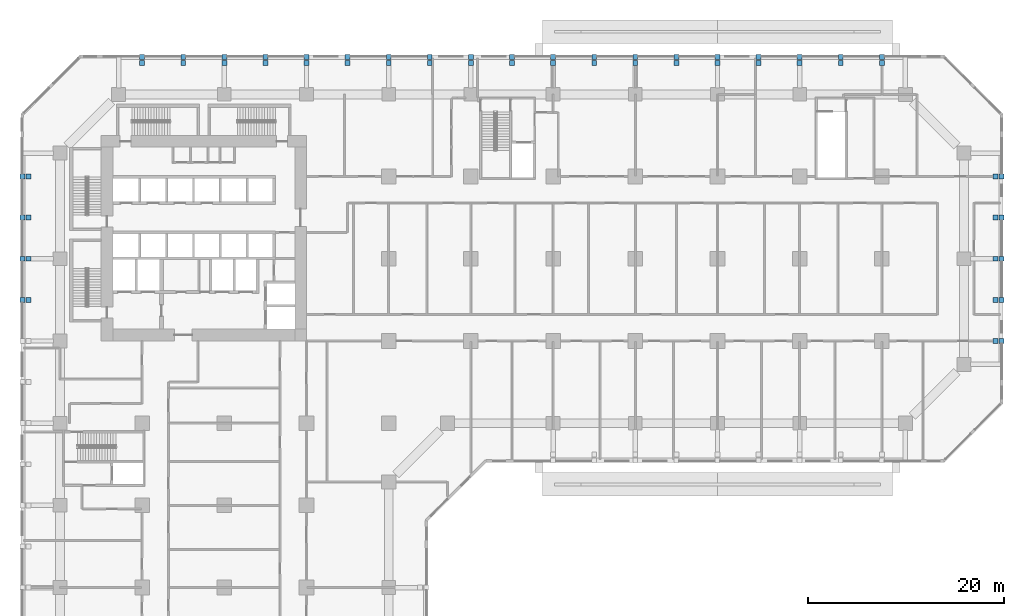
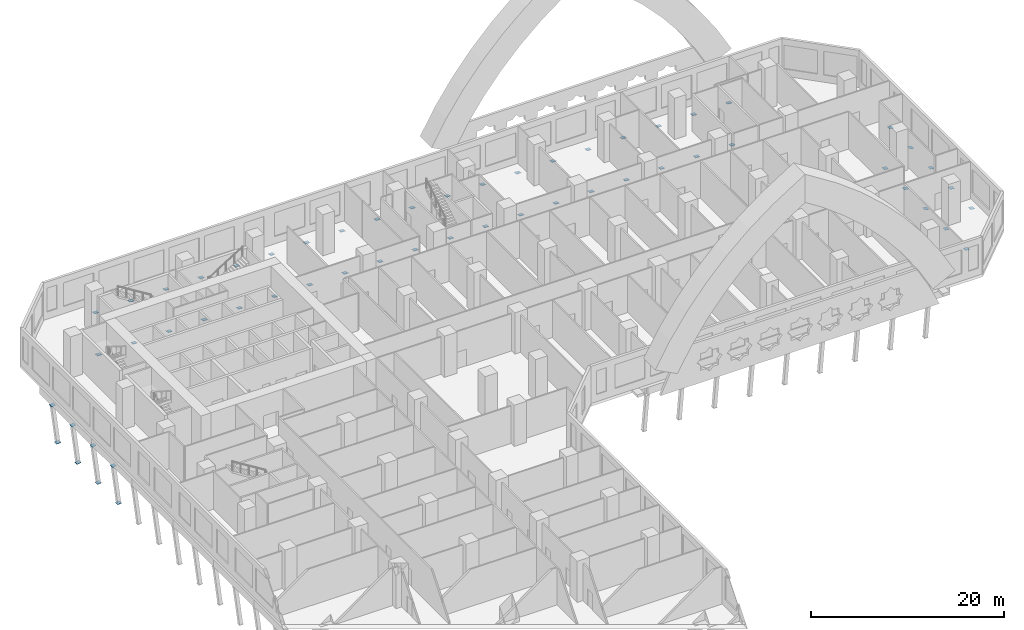
# One storey, part 19 of 25: 56 discrete accessories.
"""IFC4 building model written with IfcOpenShell, lengths in metres."""

from ifc_helpers import new_model, si_unit, direction, frame, origin, origin_2d, place, context, subcontext, project, spatial, rectangle, extrude, material, material_profile, profile_set, type_object, element, save


model = new_model("IFC4")

# Units and contexts
model_context = context("Model", 3, precision=1e-05, world=origin(), true_north=direction((0.0, 1.0)))
body_context = subcontext(model_context, "Body", "Model", "MODEL_VIEW")
ifc_project = project(units=[si_unit("LENGTHUNIT", "METRE"), si_unit("AREAUNIT", "SQUARE_METRE"), si_unit("VOLUMEUNIT", "CUBIC_METRE"), si_unit("PLANEANGLEUNIT", "RADIAN"), si_unit("MASSUNIT", "GRAM", prefix="KILO")], contexts=[model_context])

# Site, building, storey
site_placement = place(None, origin())
site = spatial("IfcSite", under=ifc_project, at=site_placement, CompositionType="ELEMENT")
building_placement = place(site_placement, origin())
building = spatial("IfcBuilding", under=site, at=building_placement, Name="Kawkab Arch Medical Tower", CompositionType="ELEMENT")
storey_placement = place(building_placement, frame((0.0, 0.0, 29.0)))
storey = spatial("IfcBuildingStorey", under=building, at=storey_placement, Name="L06", CompositionType="ELEMENT", Elevation=29.0)

# Discrete accessories
ifc_material = material(Name="Steel S355", Category="steel")
ifc_material_profile = material_profile(ifc_material, rectangle(XDim=0.5, YDim=0.5, at=origin_2d()), Name="End plate 500 x 20")
ifc_profile_set = profile_set([ifc_material_profile], Name="Steel S355")
discrete_accessory_type = type_object("IfcDiscreteAccessoryType", Name="End plate 500 x 20", PredefinedType="ANCHORPLATE", material=ifc_profile_set)
for number, where, z_axis, x_axis, name in (
    (1, (-3.202392578125, -8.39990234375, -6.18017578125), (0.122526572003, 0.0, -0.992465233221), (0.0, 1.0, 0.0), "End plate PRS1"),
    (2, (-3.828369140625, -8.39990234375, -1.269775390625), (-0.122526572003, 0.0, 0.992465233221), (0.0, -1.0, 0.0), "End plate PRS1"),
    (3, (-3.202392578125, -12.60009765625, -6.18017578125), (0.122526572003, 0.0, -0.992465233221), (0.0, 1.0, 0.0), "End plate PRS1"),
    (4, (-3.828369140625, -12.60009765625, -1.269775390625), (-0.122526572003, 0.0, 0.992465233221), (0.0, -1.0, 0.0), "End plate PRS1"),
    (5, (-3.202392578125, -16.800048828125, -6.18017578125), (0.122526572003, 0.0, -0.992465233221), (0.0, 1.0, 0.0), "End plate PRS1"),
    (6, (-3.828369140625, -16.800048828125, -1.269775390625), (-0.122526572003, 0.0, 0.992465233221), (0.0, -1.0, 0.0), "End plate PRS1"),
    (7, (-3.202392578125, -21.0, -6.18017578125), (0.122526572003, 0.0, -0.992465233221), (0.0, 1.0, 0.0), "End plate PRS1"),
    (8, (-3.828369140625, -21.0, -1.269775390625), (-0.122526572003, 0.0, 0.992465233221), (0.0, -1.0, 0.0), "End plate PRS1"),
    (9, (95.6025390625, -8.39990234375, -6.18017578125), (-0.122526572003, 0.0, -0.992465233221), (0.0, -1.0, 0.0), "End plate PRS1"),
    (10, (96.228515625, -8.39990234375, -1.269775390625), (0.122526572003, 0.0, 0.992465233221), (0.0, 1.0, 0.0), "End plate PRS1"),
    (11, (95.6025390625, -12.60009765625, -6.18017578125), (-0.122526572003, 0.0, -0.992465233221), (0.0, -1.0, 0.0), "End plate PRS1"),
    (12, (96.228515625, -12.60009765625, -1.269775390625), (0.122526572003, 0.0, 0.992465233221), (0.0, 1.0, 0.0), "End plate PRS1"),
    (13, (95.6025390625, -16.800048828125, -6.18017578125), (-0.122526572003, 0.0, -0.992465233221), (0.0, -1.0, 0.0), "End plate PRS1"),
    (14, (96.228515625, -16.800048828125, -1.269775390625), (0.122526572003, 0.0, 0.992465233221), (0.0, 1.0, 0.0), "End plate PRS1"),
    (15, (95.6025390625, -21.0, -6.18017578125), (-0.122526572003, 0.0, -0.992465233221), (0.0, -1.0, 0.0), "End plate PRS1"),
    (16, (96.228515625, -21.0, -1.269775390625), (0.122526572003, 0.0, 0.992465233221), (0.0, 1.0, 0.0), "End plate PRS1"),
    (17, (95.6025390625, -25.199951171875, -6.18017578125), (-0.122526572003, 0.0, -0.992465233221), (0.0, -1.0, 0.0), "End plate PRS1"),
    (18, (96.228515625, -25.199951171875, -1.269775390625), (0.122526572003, 0.0, 0.992465233221), (0.0, 1.0, 0.0), "End plate PRS1"),
    (19, (8.39990234375, 3.202392578125, -6.18017578125), (0.0, -0.122526572003, -0.992465233221), (1.0, 0.0, 0.0), "End plate PRS1"),
    (20, (8.39990234375, 3.828369140625, -1.269775390625), (0.0, 0.122526572003, 0.992465233221), (-1.0, 0.0, 0.0), "End plate PRS1"),
    (21, (12.60009765625, 3.202392578125, -6.18017578125), (0.0, -0.122526572003, -0.992465233221), (1.0, 0.0, 0.0), "End plate PRS1"),
    (22, (12.60009765625, 3.828369140625, -1.269775390625), (0.0, 0.122526572003, 0.992465233221), (-1.0, 0.0, 0.0), "End plate PRS1"),
    (23, (16.800048828125, 3.202392578125, -6.18017578125), (0.0, -0.122526572003, -0.992465233221), (1.0, 0.0, 0.0), "End plate PRS1"),
    (24, (16.800048828125, 3.828369140625, -1.269775390625), (0.0, 0.122526572003, 0.992465233221), (-1.0, 0.0, 0.0), "End plate PRS1"),
    (25, (21.0, 3.202392578125, -6.18017578125), (0.0, -0.122526572003, -0.992465233221), (1.0, 0.0, 0.0), "End plate PRS1"),
    (26, (21.0, 3.828369140625, -1.269775390625), (0.0, 0.122526572003, 0.992465233221), (-1.0, 0.0, 0.0), "End plate PRS1"),
    (27, (25.199951171875, 3.202392578125, -6.18017578125), (0.0, -0.122526572003, -0.992465233221), (1.0, 0.0, 0.0), "End plate PRS1"),
    (28, (25.199951171875, 3.828369140625, -1.269775390625), (0.0, 0.122526572003, 0.992465233221), (-1.0, 0.0, 0.0), "End plate PRS1"),
    (29, (29.39990234375, 3.202392578125, -6.18017578125), (0.0, -0.122526572003, -0.992465233221), (1.0, 0.0, 0.0), "End plate PRS1"),
    (30, (29.39990234375, 3.828369140625, -1.269775390625), (0.0, 0.122526572003, 0.992465233221), (-1.0, 0.0, 0.0), "End plate PRS1"),
    (31, (33.60009765625, 3.202392578125, -6.18017578125), (0.0, -0.122526572003, -0.992465233221), (1.0, 0.0, 0.0), "End plate PRS1"),
    (32, (33.60009765625, 3.828369140625, -1.269775390625), (0.0, 0.122526572003, 0.992465233221), (-1.0, 0.0, 0.0), "End plate PRS1"),
    (33, (37.800048828125, 3.202392578125, -6.18017578125), (0.0, -0.122526572003, -0.992465233221), (1.0, 0.0, 0.0), "End plate PRS1"),
    (34, (37.800048828125, 3.828369140625, -1.269775390625), (0.0, 0.122526572003, 0.992465233221), (-1.0, 0.0, 0.0), "End plate PRS1"),
    (35, (42.0, 3.202392578125, -6.18017578125), (0.0, -0.122526572003, -0.992465233221), (1.0, 0.0, 0.0), "End plate PRS1"),
    (36, (42.0, 3.828369140625, -1.269775390625), (0.0, 0.122526572003, 0.992465233221), (-1.0, 0.0, 0.0), "End plate PRS1"),
    (37, (46.199951171875, 3.202392578125, -6.18017578125), (0.0, -0.122526572003, -0.992465233221), (1.0, 0.0, 0.0), "End plate PRS1"),
    (38, (46.199951171875, 3.828369140625, -1.269775390625), (0.0, 0.122526572003, 0.992465233221), (-1.0, 0.0, 0.0), "End plate PRS1"),
    (39, (50.39990234375, 3.202392578125, -6.18017578125), (0.0, -0.122526572003, -0.992465233221), (1.0, 0.0, 0.0), "End plate PRS1"),
    (40, (50.39990234375, 3.828369140625, -1.269775390625), (0.0, 0.122526572003, 0.992465233221), (-1.0, 0.0, 0.0), "End plate PRS1"),
    (41, (54.60009765625, 3.202392578125, -6.18017578125), (0.0, -0.122526572003, -0.992465233221), (1.0, 0.0, 0.0), "End plate PRS1"),
    (42, (54.60009765625, 3.828369140625, -1.269775390625), (0.0, 0.122526572003, 0.992465233221), (-1.0, 0.0, 0.0), "End plate PRS1"),
    (43, (58.800048828125, 3.202392578125, -6.18017578125), (0.0, -0.122526572003, -0.992465233221), (1.0, 0.0, 0.0), "End plate PRS1"),
    (44, (58.800048828125, 3.828369140625, -1.269775390625), (0.0, 0.122526572003, 0.992465233221), (-1.0, 0.0, 0.0), "End plate PRS1"),
    (45, (63.0, 3.202392578125, -6.18017578125), (0.0, -0.122526572003, -0.992465233221), (1.0, 0.0, 0.0), "End plate PRS1"),
    (46, (63.0, 3.828369140625, -1.269775390625), (0.0, 0.122526572003, 0.992465233221), (-1.0, 0.0, 0.0), "End plate PRS1"),
    (47, (67.199951171875, 3.202392578125, -6.18017578125), (0.0, -0.122526572003, -0.992465233221), (1.0, 0.0, 0.0), "End plate PRS1"),
    (48, (67.199951171875, 3.828369140625, -1.269775390625), (0.0, 0.122526572003, 0.992465233221), (-1.0, 0.0, 0.0), "End plate PRS1"),
    (49, (71.39990234375, 3.202392578125, -6.18017578125), (0.0, -0.122526572003, -0.992465233221), (1.0, 0.0, 0.0), "End plate PRS1"),
    (50, (71.39990234375, 3.828369140625, -1.269775390625), (0.0, 0.122526572003, 0.992465233221), (-1.0, 0.0, 0.0), "End plate PRS1"),
    (51, (75.60009765625, 3.202392578125, -6.18017578125), (0.0, -0.122526572003, -0.992465233221), (1.0, 0.0, 0.0), "End plate PRS1"),
    (52, (75.60009765625, 3.828369140625, -1.269775390625), (0.0, 0.122526572003, 0.992465233221), (-1.0, 0.0, 0.0), "End plate PRS1"),
    (53, (79.800048828125, 3.202392578125, -6.18017578125), (0.0, -0.122526572003, -0.992465233221), (1.0, 0.0, 0.0), "End plate PRS1"),
    (54, (79.800048828125, 3.828369140625, -1.269775390625), (0.0, 0.122526572003, 0.992465233221), (-1.0, 0.0, 0.0), "End plate PRS1"),
    (55, (84.0, 3.202392578125, -6.18017578125), (0.0, -0.122526572003, -0.992465233221), (1.0, 0.0, 0.0), "End plate PRS1"),
    (56, (84.0, 3.828369140625, -1.269775390625), (0.0, 0.122526572003, 0.992465233221), (-1.0, 0.0, 0.0), "End plate PRS1"),
):
    element("IfcDiscreteAccessory", number, at=place(storey_placement, frame(where, z_axis=z_axis, x_axis=x_axis)), inside=storey, type_object=discrete_accessory_type, Name=name, PredefinedType="ANCHORPLATE", context=body_context, shape_type="SweptSolid", body=[
        extrude(rectangle(XDim=0.5, YDim=0.5, at=origin_2d()), origin(), (0.0, 0.0, 1.0), 0.02001953125),
    ])

save(model, "model.ifc")
